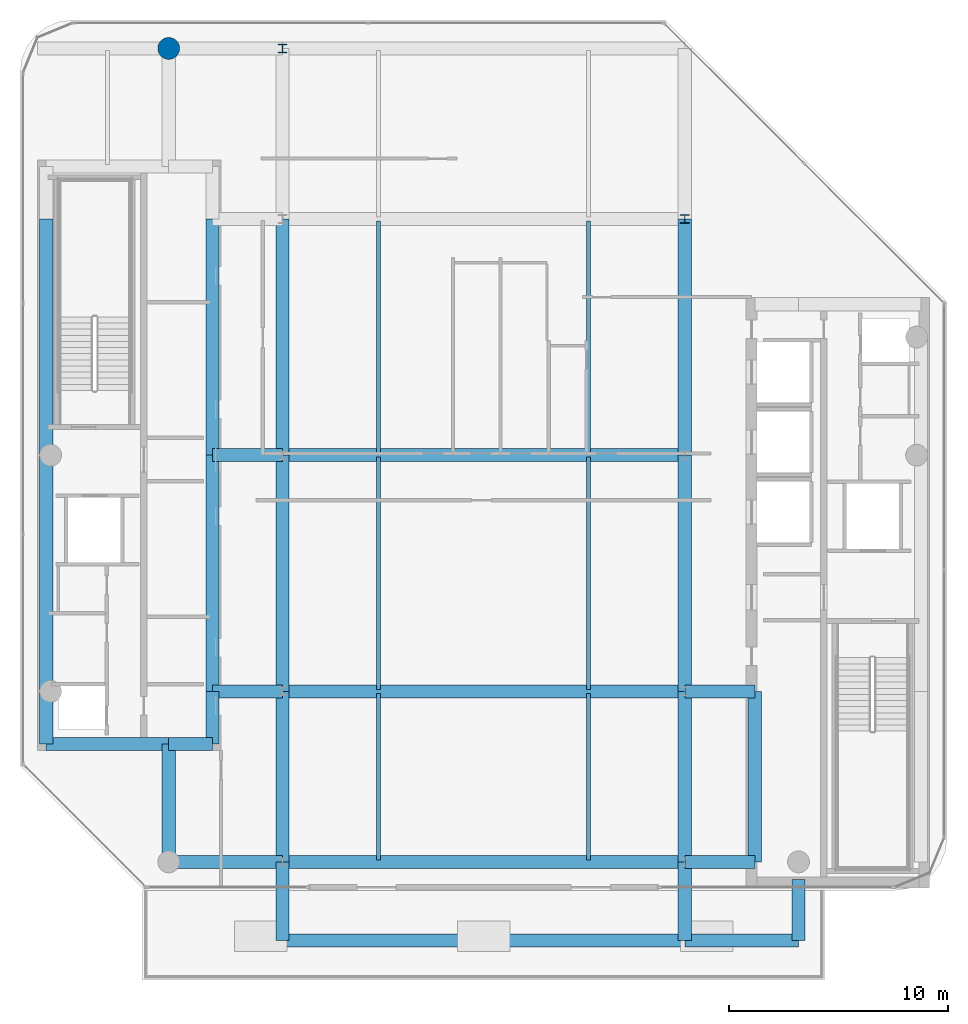
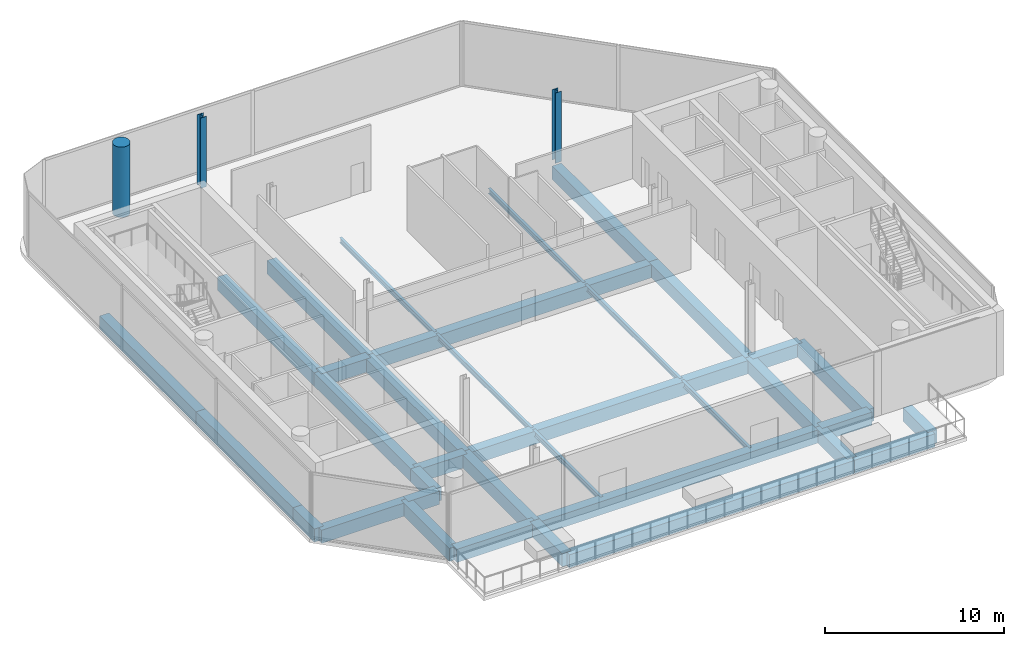
# One storey, part 2 of 14: 35 beams, 3 columns.
"""IFC4 building model written with IfcOpenShell, lengths in metres."""

from ifc_helpers import new_model, si_unit, direction, frame, origin, origin_2d, place, context, subcontext, project, spatial, rectangle, circle, i_section, extrude, material, material_profile, profile_set, type_object, element, save


model = new_model("IFC4")

# Units and contexts
model_context = context("Model", 3, precision=1e-05, world=origin(), true_north=direction((0.0, 1.0)))
body_context = subcontext(model_context, "Body", "Model", "MODEL_VIEW")
ifc_project = project(units=[si_unit("LENGTHUNIT", "METRE"), si_unit("AREAUNIT", "SQUARE_METRE"), si_unit("VOLUMEUNIT", "CUBIC_METRE"), si_unit("PLANEANGLEUNIT", "RADIAN"), si_unit("MASSUNIT", "GRAM", prefix="KILO")], contexts=[model_context])

# Site, building, storey
site_placement = place(None, origin())
site = spatial("IfcSite", under=ifc_project, at=site_placement, CompositionType="ELEMENT")
building_placement = place(site_placement, origin())
building = spatial("IfcBuilding", under=site, at=building_placement, Name="Khairoan Windgate Tower", CompositionType="ELEMENT")
storey_placement = place(building_placement, frame((0.0, 0.0, 320.39990234375)))
storey = spatial("IfcBuildingStorey", under=building, at=storey_placement, Name="L77", CompositionType="ELEMENT", Elevation=320.39990234375)

# Columns
ifc_material_1 = material(Name="Concrete C60/75", Category="concrete")
ifc_material_profile_1 = material_profile(ifc_material_1, circle(Radius=0.5, at=origin_2d()))
ifc_profile_set_1 = profile_set([ifc_material_profile_1], Name="Concrete C60/75")
column_type_1 = type_object("IfcColumnType", Name="Column C-P1 RC-D1000", PredefinedType="COLUMN", material=ifc_profile_set_1)
column_placement = place(storey_placement, frame((-14.39990234375, 18.60009765625, 0.0), z_axis=(0.0, 0.0, 1.0), x_axis=(1.0, 0.0, 0.0)))
element("IfcColumn", 1, at=column_placement, inside=storey, type_object=column_type_1, Name="Column L77-11", PredefinedType="COLUMN", context=body_context, shape_type="SweptSolid", body=[
    extrude(circle(Radius=0.5, at=origin_2d()), origin(), (0.0, 0.0, 1.0), 4.800048828125),
])
ifc_material_2 = material(Name="Steel S355", Category="steel")
ifc_material_profile_2 = material_profile(ifc_material_2, i_section(OverallWidth=0.39990234375, OverallDepth=0.39990234375, WebThickness=0.012939453125, FlangeThickness=0.02099609375, FilletRadius=0.02197265625, at=origin_2d()))
ifc_profile_set_2 = profile_set([ifc_material_profile_2], Name="Steel S355")
column_type_2 = type_object("IfcColumnType", Name="Steel Column SC4 H400x400x13x21", PredefinedType="COLUMN", material=ifc_profile_set_2)
for number, where, z_axis, x_axis, name in (
    (2, (-9.199951171875, 18.60009765625, 0.0), (0.0, 0.0, 1.0), (1.0, 0.0, 0.0), "Column L77-05"),
    (3, (9.199951171875, 10.800048828125, 0.0), (0.0, 0.0, 1.0), (1.0, 0.0, 0.0), "Column L77-09"),
):
    element("IfcColumn", number, at=place(storey_placement, frame(where, z_axis=z_axis, x_axis=x_axis)), inside=storey, type_object=column_type_2, Name=name, PredefinedType="COLUMN", context=body_context, shape_type="SweptSolid", body=[
        extrude(i_section(OverallWidth=0.39990234375, OverallDepth=0.39990234375, WebThickness=0.012939453125, FlangeThickness=0.02099609375, FilletRadius=0.02197265625, at=origin_2d()), origin(), (0.0, 0.0, 1.0), 4.800048828125),
    ])

# Beams
ifc_material_3 = material(Name="Concrete C50/60", Category="concrete")
ifc_material_profile_3 = material_profile(ifc_material_3, rectangle(XDim=0.60009765625, YDim=0.89990234375, at=origin_2d()))
ifc_profile_set_3 = profile_set([ifc_material_profile_3], Name="Concrete C50/60")
beam_type_1 = type_object("IfcBeamType", Name="Beam B-RC1 RC600x900", PredefinedType="BEAM", material=ifc_profile_set_3)
beam_1_placement = place(storey_placement, frame((-14.39990234375, -18.60009765625, -0.7099609375), z_axis=(1.0, 0.0, 0.0), x_axis=(0.0, 1.0, 0.0)))
element("IfcBeam", 4, at=beam_1_placement, inside=storey, type_object=beam_type_1, Name="L77 E-W Primary Girder 01", PredefinedType="BEAM", context=body_context, shape_type="SweptSolid", body=[
    extrude(rectangle(XDim=0.60009765625, YDim=0.89990234375, at=origin_2d()), origin(), (0.0, 0.0, 1.0), 5.199951171875),
])
beam_2_placement = place(storey_placement, frame((-9.199951171875, -18.60009765625, -0.7099609375), z_axis=(1.0, 0.0, 0.0), x_axis=(0.0, 1.0, 0.0)))
element("IfcBeam", 5, at=beam_2_placement, inside=storey, type_object=beam_type_1, Name="L77 E-W Primary Girder 02", PredefinedType="BEAM", context=body_context, shape_type="SweptSolid", body=[
    extrude(rectangle(XDim=0.60009765625, YDim=0.89990234375, at=origin_2d()), origin(), (0.0, 0.0, 1.0), 18.39990234375),
])
beam_3_placement = place(storey_placement, frame((9.199951171875, -18.60009765625, -0.7099609375), z_axis=(1.0, 0.0, 0.0), x_axis=(0.0, 1.0, 0.0)))
element("IfcBeam", 6, at=beam_3_placement, inside=storey, type_object=beam_type_1, Name="L77 E-W Primary Girder 03", PredefinedType="BEAM", context=body_context, shape_type="SweptSolid", body=[
    extrude(rectangle(XDim=0.60009765625, YDim=0.89990234375, at=origin_2d()), origin(), (0.0, 0.0, 1.0), 3.199951171875),
])
beam_4_placement = place(storey_placement, frame((-20.0, -13.199951171875, -0.7099609375), z_axis=(1.0, 0.0, 0.0), x_axis=(0.0, 1.0, 0.0)))
element("IfcBeam", 7, at=beam_4_placement, inside=storey, type_object=beam_type_1, Name="L77 E-W Primary Girder 04", PredefinedType="BEAM", context=body_context, shape_type="SweptSolid", body=[
    extrude(rectangle(XDim=0.60009765625, YDim=0.89990234375, at=origin_2d()), origin(), (0.0, 0.0, 1.0), 5.60009765625),
])
beam_5_placement = place(storey_placement, frame((-14.39990234375, -13.199951171875, -0.7099609375), z_axis=(1.0, 0.0, 0.0), x_axis=(0.0, 1.0, 0.0)))
element("IfcBeam", 8, at=beam_5_placement, inside=storey, type_object=beam_type_1, Name="L77 E-W Primary Girder 05", PredefinedType="BEAM", context=body_context, shape_type="SweptSolid", body=[
    extrude(rectangle(XDim=0.60009765625, YDim=0.89990234375, at=origin_2d()), origin(), (0.0, 0.0, 1.0), 2.0),
])
beam_6_placement = place(storey_placement, frame((-12.39990234375, -10.800048828125, -0.7099609375), z_axis=(1.0, 0.0, 0.0), x_axis=(0.0, 1.0, 0.0)))
element("IfcBeam", 9, at=beam_6_placement, inside=storey, type_object=beam_type_1, Name="L77 E-W Primary Girder 06", PredefinedType="BEAM", context=body_context, shape_type="SweptSolid", body=[
    extrude(rectangle(XDim=0.60009765625, YDim=0.89990234375, at=origin_2d()), origin(), (0.0, 0.0, 1.0), 3.199951171875),
])
beam_7_placement = place(storey_placement, frame((-9.199951171875, -10.800048828125, -0.7099609375), z_axis=(1.0, 0.0, 0.0), x_axis=(0.0, 1.0, 0.0)))
element("IfcBeam", 10, at=beam_7_placement, inside=storey, type_object=beam_type_1, Name="L77 E-W Primary Girder 07", PredefinedType="BEAM", context=body_context, shape_type="SweptSolid", body=[
    extrude(rectangle(XDim=0.60009765625, YDim=0.89990234375, at=origin_2d()), origin(), (0.0, 0.0, 1.0), 18.39990234375),
])
for number, where, z_axis, x_axis, name in (
    (11, (9.199951171875, -10.800048828125, -0.7099609375), (1.0, 0.0, 0.0), (0.0, 1.0, 0.0), "L77 E-W Primary Girder 08"),
    (12, (-12.39990234375, 0.0, -0.7099609375), (1.0, 0.0, 0.0), (0.0, 1.0, 0.0), "L77 E-W Primary Girder 09"),
):
    element("IfcBeam", number, at=place(storey_placement, frame(where, z_axis=z_axis, x_axis=x_axis)), inside=storey, type_object=beam_type_1, Name=name, PredefinedType="BEAM", context=body_context, shape_type="SweptSolid", body=[
        extrude(rectangle(XDim=0.60009765625, YDim=0.89990234375, at=origin_2d()), origin(), (0.0, 0.0, 1.0), 3.199951171875),
    ])
beam_8_placement = place(storey_placement, frame((-9.199951171875, 0.0, -0.7099609375), z_axis=(1.0, 0.0, 0.0), x_axis=(0.0, 1.0, 0.0)))
element("IfcBeam", 13, at=beam_8_placement, inside=storey, type_object=beam_type_1, Name="L77 E-W Primary Girder 10", PredefinedType="BEAM", context=body_context, shape_type="SweptSolid", body=[
    extrude(rectangle(XDim=0.60009765625, YDim=0.89990234375, at=origin_2d()), origin(), (0.0, 0.0, 1.0), 18.39990234375),
])
beam_9_placement = place(storey_placement, frame((-20.0, -13.199951171875, -0.7099609375), z_axis=(0.0, 1.0, 0.0), x_axis=(-1.0, 0.0, 0.0)))
element("IfcBeam", 14, at=beam_9_placement, inside=storey, type_object=beam_type_1, Name="L77 N-S Primary Beam 20", PredefinedType="BEAM", context=body_context, shape_type="SweptSolid", body=[
    extrude(rectangle(XDim=0.60009765625, YDim=0.89990234375, at=origin_2d()), origin(), (0.0, 0.0, 1.0), 2.39990234375),
])
for number, where, z_axis, x_axis, name in (
    (15, (-20.0, -10.800048828125, -0.7099609375), (0.0, 1.0, 0.0), (-1.0, 0.0, 0.0), "L77 N-S Primary Beam 21"),
    (16, (-20.0, 0.0, -0.7099609375), (0.0, 1.0, 0.0), (-1.0, 0.0, 0.0), "L77 N-S Primary Beam 22"),
):
    element("IfcBeam", number, at=place(storey_placement, frame(where, z_axis=z_axis, x_axis=x_axis)), inside=storey, type_object=beam_type_1, Name=name, PredefinedType="BEAM", context=body_context, shape_type="SweptSolid", body=[
        extrude(rectangle(XDim=0.60009765625, YDim=0.89990234375, at=origin_2d()), origin(), (0.0, 0.0, 1.0), 10.800048828125),
    ])
beam_10_placement = place(storey_placement, frame((-14.39990234375, -18.60009765625, -0.7099609375), z_axis=(0.0, 1.0, 0.0), x_axis=(-1.0, 0.0, 0.0)))
element("IfcBeam", 17, at=beam_10_placement, inside=storey, type_object=beam_type_1, Name="L77 N-S Primary Beam 24", PredefinedType="BEAM", context=body_context, shape_type="SweptSolid", body=[
    extrude(rectangle(XDim=0.60009765625, YDim=0.89990234375, at=origin_2d()), origin(), (0.0, 0.0, 1.0), 5.400146484375),
])
beam_11_placement = place(storey_placement, frame((-12.39990234375, -13.199951171875, -0.7099609375), z_axis=(0.0, 1.0, 0.0), x_axis=(-1.0, 0.0, 0.0)))
element("IfcBeam", 18, at=beam_11_placement, inside=storey, type_object=beam_type_1, Name="L77 N-S Primary Beam 26", PredefinedType="BEAM", context=body_context, shape_type="SweptSolid", body=[
    extrude(rectangle(XDim=0.60009765625, YDim=0.89990234375, at=origin_2d()), origin(), (0.0, 0.0, 1.0), 2.39990234375),
])
for number, where, z_axis, x_axis, name in (
    (19, (-12.39990234375, -10.800048828125, -0.7099609375), (0.0, 1.0, 0.0), (-1.0, 0.0, 0.0), "L77 N-S Primary Beam 27"),
    (20, (-12.39990234375, 0.0, -0.7099609375), (0.0, 1.0, 0.0), (-1.0, 0.0, 0.0), "L77 N-S Primary Beam 28"),
):
    element("IfcBeam", number, at=place(storey_placement, frame(where, z_axis=z_axis, x_axis=x_axis)), inside=storey, type_object=beam_type_1, Name=name, PredefinedType="BEAM", context=body_context, shape_type="SweptSolid", body=[
        extrude(rectangle(XDim=0.60009765625, YDim=0.89990234375, at=origin_2d()), origin(), (0.0, 0.0, 1.0), 10.800048828125),
    ])
beam_12_placement = place(storey_placement, frame((-9.199951171875, -18.60009765625, -0.7099609375), z_axis=(0.0, 1.0, 0.0), x_axis=(-1.0, 0.0, 0.0)))
element("IfcBeam", 21, at=beam_12_placement, inside=storey, type_object=beam_type_1, Name="L77 N-S Primary Beam 30", PredefinedType="BEAM", context=body_context, shape_type="SweptSolid", body=[
    extrude(rectangle(XDim=0.60009765625, YDim=0.89990234375, at=origin_2d()), origin(), (0.0, 0.0, 1.0), 7.800048828125),
])
for number, where, z_axis, x_axis, name in (
    (22, (-9.199951171875, -10.800048828125, -0.7099609375), (0.0, 1.0, 0.0), (-1.0, 0.0, 0.0), "L77 N-S Primary Beam 31"),
    (23, (-9.199951171875, 0.0, -0.7099609375), (0.0, 1.0, 0.0), (-1.0, 0.0, 0.0), "L77 N-S Primary Beam 32"),
):
    element("IfcBeam", number, at=place(storey_placement, frame(where, z_axis=z_axis, x_axis=x_axis)), inside=storey, type_object=beam_type_1, Name=name, PredefinedType="BEAM", context=body_context, shape_type="SweptSolid", body=[
        extrude(rectangle(XDim=0.60009765625, YDim=0.89990234375, at=origin_2d()), origin(), (0.0, 0.0, 1.0), 10.800048828125),
    ])
beam_13_placement = place(storey_placement, frame((9.199951171875, -18.60009765625, -0.7099609375), z_axis=(0.0, 1.0, 0.0), x_axis=(-1.0, 0.0, 0.0)))
element("IfcBeam", 24, at=beam_13_placement, inside=storey, type_object=beam_type_1, Name="L77 N-S Primary Beam 34", PredefinedType="BEAM", context=body_context, shape_type="SweptSolid", body=[
    extrude(rectangle(XDim=0.60009765625, YDim=0.89990234375, at=origin_2d()), origin(), (0.0, 0.0, 1.0), 7.800048828125),
])
for number, where, z_axis, x_axis, name in (
    (25, (9.199951171875, -10.800048828125, -0.7099609375), (0.0, 1.0, 0.0), (-1.0, 0.0, 0.0), "L77 N-S Primary Beam 35"),
    (26, (9.199951171875, 0.0, -0.7099609375), (0.0, 1.0, 0.0), (-1.0, 0.0, 0.0), "L77 N-S Primary Beam 36"),
):
    element("IfcBeam", number, at=place(storey_placement, frame(where, z_axis=z_axis, x_axis=x_axis)), inside=storey, type_object=beam_type_1, Name=name, PredefinedType="BEAM", context=body_context, shape_type="SweptSolid", body=[
        extrude(rectangle(XDim=0.60009765625, YDim=0.89990234375, at=origin_2d()), origin(), (0.0, 0.0, 1.0), 10.800048828125),
    ])
beam_14_placement = place(storey_placement, frame((12.39990234375, -18.60009765625, -0.7099609375), z_axis=(0.0, 1.0, 0.0), x_axis=(-1.0, 0.0, 0.0)))
element("IfcBeam", 27, at=beam_14_placement, inside=storey, type_object=beam_type_1, Name="L77 N-S Primary Beam 38", PredefinedType="BEAM", context=body_context, shape_type="SweptSolid", body=[
    extrude(rectangle(XDim=0.60009765625, YDim=0.89990234375, at=origin_2d()), origin(), (0.0, 0.0, 1.0), 7.800048828125),
])
beam_15_placement = place(storey_placement, frame((14.39990234375, -22.199951171875, -0.7099609375), z_axis=(0.0, 1.0, 0.0), x_axis=(-1.0, 0.0, 0.0)))
element("IfcBeam", 28, at=beam_15_placement, inside=storey, type_object=beam_type_1, Name="L77 N-S Primary Beam 39", PredefinedType="BEAM", context=body_context, shape_type="SweptSolid", body=[
    extrude(rectangle(XDim=0.60009765625, YDim=0.89990234375, at=origin_2d()), origin(), (0.0, 0.0, 1.0), 2.800048828125),
])
for number, where, z_axis, x_axis, name in (
    (29, (-9.199951171875, -22.199951171875, -0.7099609375), (0.0, 1.0, 0.0), (-1.0, 0.0, 0.0), "L77 Observation Terrace West Cantilever Beam"),
    (30, (9.199951171875, -22.199951171875, -0.7099609375), (0.0, 1.0, 0.0), (-1.0, 0.0, 0.0), "L77 Observation Terrace East Cantilever Beam"),
):
    element("IfcBeam", number, at=place(storey_placement, frame(where, z_axis=z_axis, x_axis=x_axis)), inside=storey, type_object=beam_type_1, Name=name, PredefinedType="BEAM", context=body_context, shape_type="SweptSolid", body=[
        extrude(rectangle(XDim=0.60009765625, YDim=0.89990234375, at=origin_2d()), origin(), (0.0, 0.0, 1.0), 3.599853515625),
    ])
beam_16_placement = place(storey_placement, frame((-9.199951171875, -22.199951171875, -0.7099609375), z_axis=(1.0, 0.0, 0.0), x_axis=(0.0, 1.0, 0.0)))
element("IfcBeam", 31, at=beam_16_placement, inside=storey, type_object=beam_type_1, Name="L77 Observation Terrace South Tie Beam 01", PredefinedType="BEAM", context=body_context, shape_type="SweptSolid", body=[
    extrude(rectangle(XDim=0.60009765625, YDim=0.89990234375, at=origin_2d()), origin(), (0.0, 0.0, 1.0), 18.39990234375),
])
beam_17_placement = place(storey_placement, frame((9.199951171875, -22.199951171875, -0.7099609375), z_axis=(1.0, 0.0, 0.0), x_axis=(0.0, 1.0, 0.0)))
element("IfcBeam", 32, at=beam_17_placement, inside=storey, type_object=beam_type_1, Name="L77 Observation Terrace South Tie Beam 02", PredefinedType="BEAM", context=body_context, shape_type="SweptSolid", body=[
    extrude(rectangle(XDim=0.60009765625, YDim=0.89990234375, at=origin_2d()), origin(), (0.0, 0.0, 1.0), 5.199951171875),
])
ifc_material_4 = material(Name="Steel S355", Category="steel")
ifc_material_profile_4 = material_profile(ifc_material_4, i_section(OverallWidth=0.175048828125, OverallDepth=0.35009765625, WebThickness=0.007080078125, FlangeThickness=0.010986328125, FilletRadius=0.013916015625, at=origin_2d()))
ifc_profile_set_4 = profile_set([ifc_material_profile_4], Name="Steel S355")
beam_type_2 = type_object("IfcBeamType", Name="Beam J-S5 H350x175x7x11", PredefinedType="JOIST", material=ifc_profile_set_4)
beam_18_placement = place(storey_placement, frame((-4.800048828125, -18.510009765625, -0.434814453125), z_axis=(0.0, 1.0, 0.0), x_axis=(-1.0, 0.0, 0.0)))
element("IfcBeam", 33, at=beam_18_placement, inside=storey, type_object=beam_type_2, Name="L77 Secondary Floor Joist 02", PredefinedType="JOIST", context=body_context, shape_type="SweptSolid", body=[
    extrude(i_section(OverallWidth=0.175048828125, OverallDepth=0.35009765625, WebThickness=0.007080078125, FlangeThickness=0.010986328125, FilletRadius=0.013916015625, at=origin_2d()), origin(), (0.0, 0.0, 1.0), 7.6201171875),
])
for number, where, z_axis, x_axis, name in (
    (34, (-4.800048828125, -10.7099609375, -0.434814453125), (0.0, 1.0, 0.0), (-1.0, 0.0, 0.0), "L77 Secondary Floor Joist 03"),
    (35, (-4.800048828125, 0.090087890625, -0.434814453125), (0.0, 1.0, 0.0), (-1.0, 0.0, 0.0), "L77 Secondary Floor Joist 04"),
):
    element("IfcBeam", number, at=place(storey_placement, frame(where, z_axis=z_axis, x_axis=x_axis)), inside=storey, type_object=beam_type_2, Name=name, PredefinedType="JOIST", context=body_context, shape_type="SweptSolid", body=[
        extrude(i_section(OverallWidth=0.175048828125, OverallDepth=0.35009765625, WebThickness=0.007080078125, FlangeThickness=0.010986328125, FilletRadius=0.013916015625, at=origin_2d()), origin(), (0.0, 0.0, 1.0), 10.619873046875),
    ])
beam_19_placement = place(storey_placement, frame((4.800048828125, -18.510009765625, -0.434814453125), z_axis=(0.0, 1.0, 0.0), x_axis=(-1.0, 0.0, 0.0)))
element("IfcBeam", 36, at=beam_19_placement, inside=storey, type_object=beam_type_2, Name="L77 Secondary Floor Joist 06", PredefinedType="JOIST", context=body_context, shape_type="SweptSolid", body=[
    extrude(i_section(OverallWidth=0.175048828125, OverallDepth=0.35009765625, WebThickness=0.007080078125, FlangeThickness=0.010986328125, FilletRadius=0.013916015625, at=origin_2d()), origin(), (0.0, 0.0, 1.0), 7.6201171875),
])
for number, where, z_axis, x_axis, name in (
    (37, (4.800048828125, -10.7099609375, -0.434814453125), (0.0, 1.0, 0.0), (-1.0, 0.0, 0.0), "L77 Secondary Floor Joist 07"),
    (38, (4.800048828125, 0.090087890625, -0.434814453125), (0.0, 1.0, 0.0), (-1.0, 0.0, 0.0), "L77 Secondary Floor Joist 08"),
):
    element("IfcBeam", number, at=place(storey_placement, frame(where, z_axis=z_axis, x_axis=x_axis)), inside=storey, type_object=beam_type_2, Name=name, PredefinedType="JOIST", context=body_context, shape_type="SweptSolid", body=[
        extrude(i_section(OverallWidth=0.175048828125, OverallDepth=0.35009765625, WebThickness=0.007080078125, FlangeThickness=0.010986328125, FilletRadius=0.013916015625, at=origin_2d()), origin(), (0.0, 0.0, 1.0), 10.619873046875),
    ])

save(model, "model.ifc")
